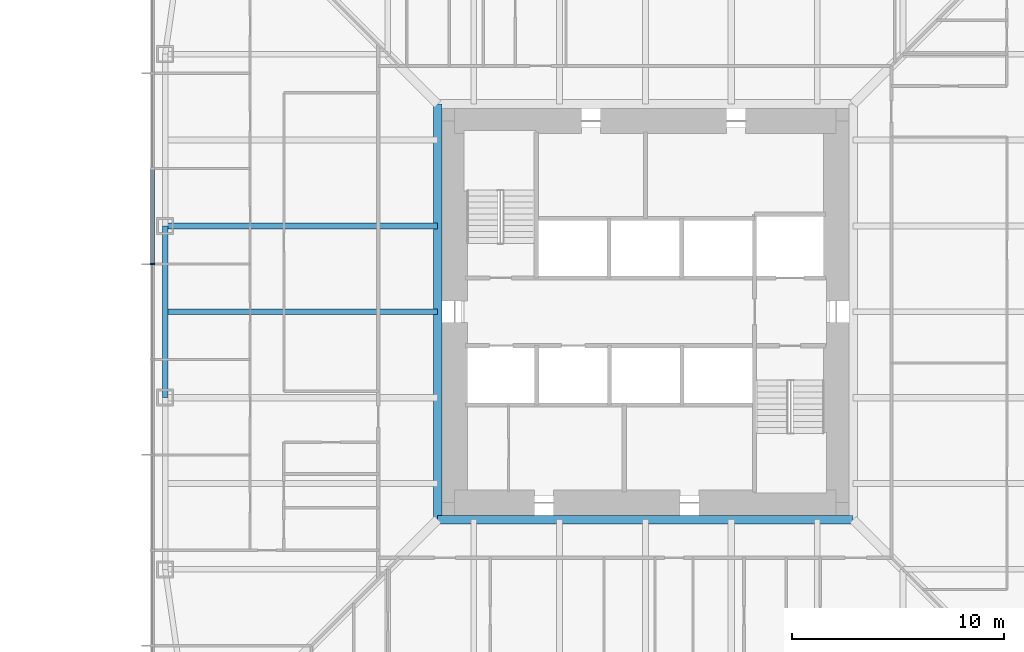
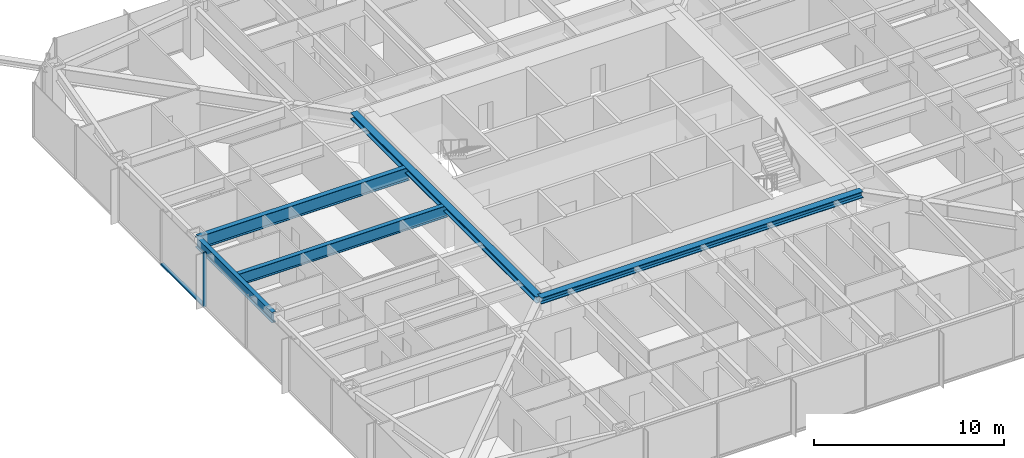
# One storey, part 4 of 26: 5 beams, 2 members, 1 element without a shape of its own.
"""IFC4 building model written with IfcOpenShell, lengths in metres."""

from ifc_helpers import new_model, si_unit, direction, frame, origin, origin_2d, place, context, subcontext, project, spatial, rectangle, i_section, extrude, material, material_profile, profile_set, type_object, element, aggregate, save


model = new_model("IFC4")

# Units and contexts
model_context = context("Model", 3, precision=1e-05, world=origin(), true_north=direction((0.0, 1.0)))
body_context = subcontext(model_context, "Body", "Model", "MODEL_VIEW")
ifc_project = project(units=[si_unit("LENGTHUNIT", "METRE"), si_unit("AREAUNIT", "SQUARE_METRE"), si_unit("VOLUMEUNIT", "CUBIC_METRE"), si_unit("PLANEANGLEUNIT", "RADIAN"), si_unit("MASSUNIT", "GRAM", prefix="KILO")], contexts=[model_context])

# Site, building, storey
site_placement = place(None, origin())
site = spatial("IfcSite", under=ifc_project, at=site_placement, CompositionType="ELEMENT")
building_placement = place(site_placement, origin())
building = spatial("IfcBuilding", under=site, at=building_placement, Name="Iwan Alto Co-Living Towers", CompositionType="ELEMENT")
storey_placement = place(building_placement, frame((0.0, 0.0, 46.5)))
storey = spatial("IfcBuildingStorey", under=building, at=storey_placement, Name="L12", CompositionType="ELEMENT", Elevation=46.5)

# Curtain wall, members
ifc_material_1 = material(Name="Bronze aluminium unitised frame", Category="aluminium")
curtain_wall_type = type_object("IfcCurtainWallType", Name="CURTAIN WALL CW-A", PredefinedType="NOTDEFINED", material=ifc_material_1)
curtain_wall_placement = place(storey_placement, origin())
curtain_wall = element("IfcCurtainWall", 1, at=curtain_wall_placement, inside=storey, type_object=curtain_wall_type, Name="T1 curtain wall W L12", PredefinedType="NOTDEFINED")
ifc_material_2 = material(Name="Aluminium 6063-T6 bronze anodised", Category="aluminium")
ifc_material_profile_1 = material_profile(ifc_material_2, rectangle(XDim=0.199951171875, YDim=0.080078125, at=origin_2d()), Name="AL 80X200")
ifc_profile_set_1 = profile_set([ifc_material_profile_1], Name="Aluminium 6063-T6 bronze anodised")
member_type_1 = type_object("IfcMemberType", Name="CW-A MULLION 80X200", PredefinedType="MULLION", material=ifc_profile_set_1)
member_1_placement = place(storey_placement, frame((-23.25, 2.25, 0.0), z_axis=(0.0, 0.0, 1.0), x_axis=(1.0, 0.0, 0.0)))
member_1 = element("IfcMember", 2, at=member_1_placement, type_object=member_type_1, Name="CW-A mullion 5", PredefinedType="MULLION", context=body_context, shape_type="SweptSolid", body=[
    extrude(rectangle(XDim=0.199951171875, YDim=0.080078125, at=origin_2d()), origin(), (0.0, 0.0, 1.0), 3.5),
])
ifc_material_3 = material(Name="Aluminium 6063-T6 bronze anodised", Category="aluminium")
ifc_material_profile_2 = material_profile(ifc_material_3, rectangle(XDim=0.199951171875, YDim=0.10009765625, at=origin_2d()), Name="AL 200X100")
ifc_profile_set_2 = profile_set([ifc_material_profile_2], Name="Aluminium 6063-T6 bronze anodised")
member_type_2 = type_object("IfcMemberType", Name="CW-A TRANSOM 200X100", PredefinedType="USERDEFINED", material=ifc_profile_set_2)
member_2_placement = place(storey_placement, frame((-23.25, 6.7099609375, 0.050048828125), z_axis=(0.0, -1.0, 0.0), x_axis=(1.0, 0.0, 0.0)))
member_2 = element("IfcMember", 3, at=member_2_placement, type_object=member_type_2, Name="CW-A transom 4.1", ObjectType="TRANSOM", PredefinedType="USERDEFINED", context=body_context, shape_type="SweptSolid", body=[
    extrude(rectangle(XDim=0.199951171875, YDim=0.10009765625, at=origin_2d()), origin(), (0.0, 0.0, 1.0), 4.419921875),
])
aggregate(curtain_wall, [member_1, member_2])

# Beams
ifc_material_4 = material(Name="Steel ASTM A992 Gr 50", Category="steel")
ifc_material_profile_3 = material_profile(ifc_material_4, i_section(OverallWidth=0.40380859375, OverallDepth=0.406494140625, WebThickness=0.027099609375, FlangeThickness=0.043701171875, at=origin_2d()), Name="W14X233")
ifc_profile_set_3 = profile_set([ifc_material_profile_3], Name="Steel ASTM A992 Gr 50")
beam_type_1 = type_object("IfcBeamType", Name="T1 CORE LEDGER BEAM W14X233", PredefinedType="BEAM", material=ifc_profile_set_3)
for number, where, z_axis, x_axis, name in (
    (4, (-9.802001953125, -9.802001953125, 3.06689453125), (1.0, 0.0, 0.0), (0.0, 1.0, 0.0), "T1 core ledger beam S L13"),
    (5, (-9.802001953125, 9.802001953125, 3.06689453125), (0.0, -1.0, 0.0), (1.0, 0.0, 0.0), "T1 core ledger beam W L13"),
):
    element("IfcBeam", number, at=place(storey_placement, frame(where, z_axis=z_axis, x_axis=x_axis)), inside=storey, type_object=beam_type_1, Name=name, PredefinedType="BEAM", context=body_context, shape_type="SweptSolid", body=[
        extrude(i_section(OverallWidth=0.40380859375, OverallDepth=0.406494140625, WebThickness=0.027099609375, FlangeThickness=0.043701171875, at=origin_2d()), origin(), (0.0, 0.0, 1.0), 19.60400390625),
    ])
ifc_material_5 = material(Name="Steel ASTM A992 Gr 50", Category="steel")
ifc_material_profile_4 = material_profile(ifc_material_5, i_section(OverallWidth=0.25390625, OverallDepth=0.683349609375, WebThickness=0.012451171875, FlangeThickness=0.018798828125, at=origin_2d()), Name="W27X94")
ifc_profile_set_4 = profile_set([ifc_material_profile_4], Name="Steel ASTM A992 Gr 50")
beam_type_2 = type_object("IfcBeamType", Name="T1 EDGE BEAM W27X94", PredefinedType="BEAM", material=ifc_profile_set_4)
beam_1_placement = place(storey_placement, frame((-22.64990234375, 4.050048828125, 2.928466796875), z_axis=(0.0, -1.0, 0.0), x_axis=(1.0, 0.0, 0.0)))
element("IfcBeam", 6, at=beam_1_placement, inside=storey, type_object=beam_type_2, Name="T1 edge beam W2 L13", PredefinedType="BEAM", context=body_context, shape_type="SweptSolid", body=[
    extrude(i_section(OverallWidth=0.25390625, OverallDepth=0.683349609375, WebThickness=0.012451171875, FlangeThickness=0.018798828125, at=origin_2d()), origin(), (0.0, 0.0, 1.0), 8.10009765625),
])
ifc_material_6 = material(Name="Steel ASTM A992 Gr 50", Category="steel")
ifc_material_profile_5 = material_profile(ifc_material_6, i_section(OverallWidth=0.2919921875, OverallDepth=0.8408203125, WebThickness=0.0146484375, FlangeThickness=0.021728515625, at=origin_2d()), Name="W33X130")
ifc_profile_set_5 = profile_set([ifc_material_profile_5], Name="Steel ASTM A992 Gr 50")
beam_type_3 = type_object("IfcBeamType", Name="T1 RADIAL BEAM W33X130", PredefinedType="BEAM", material=ifc_profile_set_5)
beam_2_placement = place(storey_placement, frame((-22.64990234375, 4.050048828125, 2.849609375), z_axis=(1.0, 0.0, 0.0), x_axis=(0.0, 1.0, 0.0)))
element("IfcBeam", 7, at=beam_2_placement, inside=storey, type_object=beam_type_3, Name="T1 radial beam W2 L13", PredefinedType="BEAM", context=body_context, shape_type="SweptSolid", body=[
    extrude(i_section(OverallWidth=0.2919921875, OverallDepth=0.8408203125, WebThickness=0.0146484375, FlangeThickness=0.021728515625, at=origin_2d()), origin(), (0.0, 0.0, 1.0), 12.847900390625),
])
ifc_material_7 = material(Name="Steel ASTM A992 Gr 50", Category="steel")
ifc_material_profile_6 = material_profile(ifc_material_7, i_section(OverallWidth=0.2666015625, OverallDepth=0.761962890625, WebThickness=0.014404296875, FlangeThickness=0.021484375, at=origin_2d()), Name="W30X116")
ifc_profile_set_6 = profile_set([ifc_material_profile_6], Name="Steel ASTM A992 Gr 50")
beam_type_4 = type_object("IfcBeamType", Name="T1 SECONDARY BEAM W30X116", PredefinedType="JOIST", material=ifc_profile_set_6)
beam_3_placement = place(storey_placement, frame((-22.64990234375, 0.0, 2.888916015625), z_axis=(1.0, 0.0, 0.0), x_axis=(0.0, 1.0, 0.0)))
element("IfcBeam", 8, at=beam_3_placement, inside=storey, type_object=beam_type_4, Name="T1 secondary beam W2 L13", PredefinedType="JOIST", context=body_context, shape_type="SweptSolid", body=[
    extrude(i_section(OverallWidth=0.2666015625, OverallDepth=0.761962890625, WebThickness=0.014404296875, FlangeThickness=0.021484375, at=origin_2d()), origin(), (0.0, 0.0, 1.0), 12.847900390625),
])

save(model, "model.ifc")
